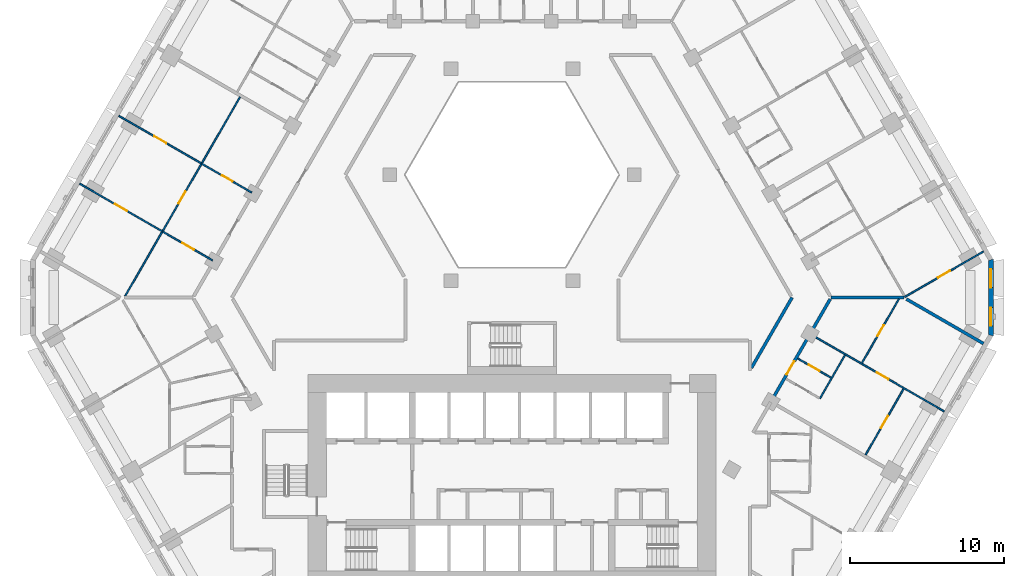
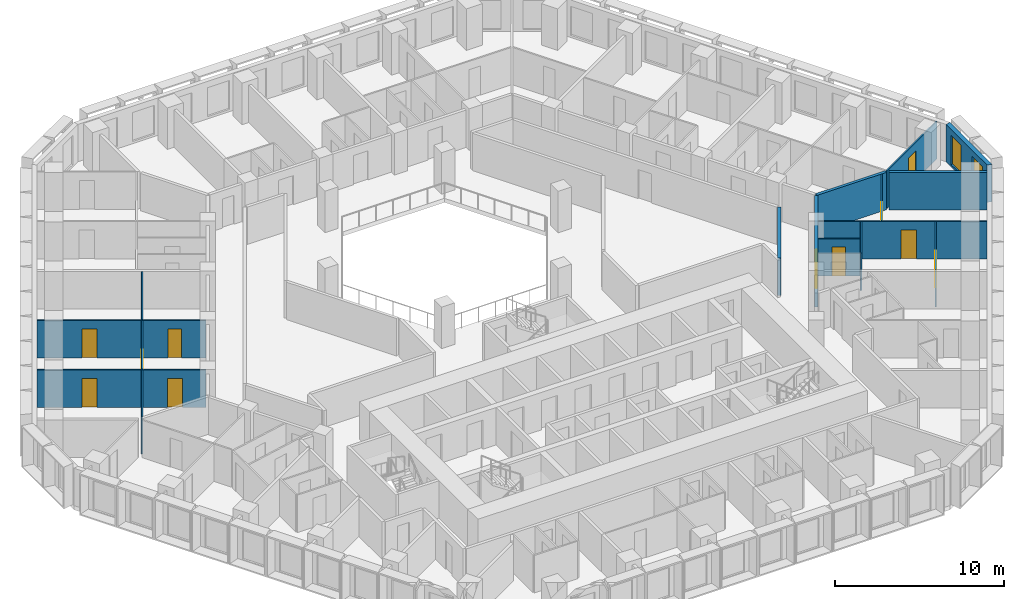
# One storey, part 8 of 21: 16 walls, 11 doors, 2 windows, 13 openings.
"""IFC4 building model written with IfcOpenShell, lengths in metres."""

from ifc_helpers import new_model, si_unit, direction, frame, frame_2d, origin, place, context, subcontext, project, spatial, polyline, rectangle, outline, extrude, material, layer, layer_set, type_object, element, fill, save


model = new_model("IFC4")

# Units and contexts
model_context = context("Model", 3, precision=1e-05, world=origin(), true_north=direction((0.0, 1.0)))
body_context = subcontext(model_context, "Body", "Model", "MODEL_VIEW")
ifc_project = project(units=[si_unit("LENGTHUNIT", "METRE"), si_unit("AREAUNIT", "SQUARE_METRE"), si_unit("VOLUMEUNIT", "CUBIC_METRE"), si_unit("PLANEANGLEUNIT", "RADIAN"), si_unit("MASSUNIT", "GRAM", prefix="KILO")], contexts=[model_context])

# Site, building, storey
site_placement = place(None, origin())
site = spatial("IfcSite", under=ifc_project, at=site_placement, CompositionType="ELEMENT")
building_placement = place(site_placement, origin())
building = spatial("IfcBuilding", under=site, at=building_placement, Name="Beryl Residences", CompositionType="ELEMENT")
storey_placement = place(building_placement, frame((0.0, 0.0, 35.39990234375)))
storey = spatial("IfcBuildingStorey", under=building, at=storey_placement, Name="L10", CompositionType="ELEMENT", Elevation=35.39990234375)

# Wall, openings, windows
ifc_material_1 = material(Name="Composite metal panel with mineral wool insulation")
ifc_layer_1 = layer(ifc_material_1, 0.300048828125)
ifc_layer_set_1 = layer_set([ifc_layer_1], Name="ES1 pale metal composite panel wall 300 mm")
wall_type_1 = type_object("IfcWallType", Name="ES1 pale metal composite panel wall 300 mm", PredefinedType="SOLIDWALL", material=ifc_layer_set_1)
wall_1_placement = place(storey_placement, frame((31.199951171875, -2.5, 0.0), z_axis=(0.0, 0.0, 1.0), x_axis=(0.0, 1.0, 0.0)))
wall_1 = element("IfcWall", 1, at=wall_1_placement, inside=storey, type_object=wall_type_1, Name="ES1 external wall L10 SE-NE", PredefinedType="SOLIDWALL", context=body_context, shape_type="SweptSolid", body=[
    extrude(outline(polyline([(0.0, -0.14990234375), (5.0, -0.14990234375), (4.919677734375, 0.14990234375), (0.080322265625, 0.14990234375), (0.0, -0.14990234375)])), origin(), (0.0, 0.0, 1.0), 2.7001953125),
])
opening_1_placement = place(wall_1_placement, frame((0.64990234375, 0.0, 0.14990234375)))
opening_1 = element("IfcOpeningElement", 2, at=opening_1_placement, cuts=wall_1, Name="Opening W2", PredefinedType="OPENING", context=body_context, shape_type="SweptSolid", body=[
    extrude(rectangle(XDim=1.199951171875, YDim=2.10009765625, at=frame_2d((0.60009765625, 1.050048828125))), frame((0.0, 0.159912109375, 0.0), z_axis=(0.0, -1.0, 0.0), x_axis=(1.0, 0.0, 0.0)), (0.0, 0.0, 1.0), 0.320068359375),
])
opening_2_placement = place(wall_1_placement, frame((3.14990234375, 0.0, 0.14990234375)))
opening_2 = element("IfcOpeningElement", 3, at=opening_2_placement, cuts=wall_1, Name="Opening W2", PredefinedType="OPENING", context=body_context, shape_type="SweptSolid", body=[
    extrude(rectangle(XDim=1.199951171875, YDim=2.10009765625, at=frame_2d((0.60009765625, 1.050048828125))), frame((0.0, 0.159912109375, 0.0), z_axis=(0.0, -1.0, 0.0), x_axis=(1.0, 0.0, 0.0)), (0.0, 0.0, 1.0), 0.320068359375),
])
ifc_material_2 = material(Name="Aluminium and clear glass", Category="aluminium")
window_type = type_object("IfcWindowType", Name="W2 chamfer window 1200 x 2100 mm", PartitioningType="SINGLE_PANEL", PredefinedType="WINDOW", material=ifc_material_2)
window_1_placement = place(opening_1_placement, origin())
window_1 = element("IfcWindow", 4, at=window_1_placement, inside=storey, type_object=window_type, Name="W2 window L10 SE-NE 1", OverallHeight=2.10009765625, OverallWidth=1.199951171875, PartitioningType="SINGLE_PANEL", PredefinedType="WINDOW", context=body_context, shape_type="SweptSolid", body=[
    extrude(rectangle(XDim=1.199951171875, YDim=2.10009765625, at=frame_2d((0.60009765625, 1.050048828125))), frame((0.0, 0.030029296875, 0.0), z_axis=(0.0, -1.0, 0.0), x_axis=(1.0, 0.0, 0.0)), (0.0, 0.0, 1.0), 0.06005859375),
])
fill(opening_1, window_1)
window_2_placement = place(opening_2_placement, origin())
window_2 = element("IfcWindow", 5, at=window_2_placement, inside=storey, type_object=window_type, Name="W2 window L10 SE-NE 2", OverallHeight=2.10009765625, OverallWidth=1.199951171875, PartitioningType="SINGLE_PANEL", PredefinedType="WINDOW", context=body_context, shape_type="SweptSolid", body=[
    extrude(rectangle(XDim=1.199951171875, YDim=2.10009765625, at=frame_2d((0.60009765625, 1.050048828125))), frame((0.0, 0.030029296875, 0.0), z_axis=(0.0, -1.0, 0.0), x_axis=(1.0, 0.0, 0.0)), (0.0, 0.0, 1.0), 0.06005859375),
])
fill(opening_2, window_2)

# Wall, opening, door
ifc_material_3 = material(Name="Gypsum board partition on steel studs", Category="steel")
ifc_layer_2 = layer(ifc_material_3, 0.10009765625)
ifc_layer_set_2 = layer_set([ifc_layer_2], Name="PT1 partition 100 mm gypsum board on steel studs")
wall_type_2 = type_object("IfcWallType", Name="PT1 partition 100 mm gypsum board on steel studs", PredefinedType="PARTITIONING", material=ifc_layer_set_2)
wall_2_placement = place(storey_placement, frame((-28.1640625, 7.4189453125, 0.0), z_axis=(0.0, 0.0, 1.0), x_axis=(0.86607068519, -0.499921562103, 0.0)))
wall_2 = element("IfcWall", 6, at=wall_2_placement, inside=storey, type_object=wall_type_2, Name="Wall PT1 L10 014", PredefinedType="PARTITIONING", context=body_context, shape_type="SweptSolid", body=[
    extrude(rectangle(XDim=6.22705078125, YDim=0.10009765625, at=frame_2d((3.113525390625, 0.0))), origin(), (0.0, 0.0, 1.0), 2.7001953125),
])
opening_3_placement = place(wall_2_placement, frame((2.6630859375, 0.0, 0.0)))
opening_3 = element("IfcOpeningElement", 7, at=opening_3_placement, cuts=wall_2, Name="Opening D0167", PredefinedType="OPENING", context=body_context, shape_type="SweptSolid", body=[
    extrude(rectangle(XDim=0.89990234375, YDim=2.10009765625, at=frame_2d((0.449951171875, 1.050048828125))), frame((0.0, 0.06005859375, 0.0), z_axis=(0.0, -1.0, 0.0), x_axis=(1.0, 0.0, 0.0)), (0.0, 0.0, 1.0), 0.1201171875),
])
ifc_material_4 = material(Name="Timber door leaf", Category="wood")
door_type_1 = type_object("IfcDoorType", Name="D2 room door 900 x 2100 mm", OperationType="SINGLE_SWING_LEFT", PredefinedType="DOOR", material=ifc_material_4)
door_1_placement = place(opening_3_placement, origin())
door_1 = element("IfcDoor", 8, at=door_1_placement, inside=storey, type_object=door_type_1, Name="Door D0167 L10 001", OperationType="SINGLE_SWING_LEFT", OverallHeight=2.10009765625, OverallWidth=0.89990234375, PredefinedType="DOOR", context=body_context, shape_type="SweptSolid", body=[
    extrude(rectangle(XDim=0.89990234375, YDim=2.10009765625, at=frame_2d((0.449951171875, 1.050048828125))), frame((0.0, 0.02490234375, 0.0), z_axis=(0.0, -1.0, 0.0), x_axis=(1.0, 0.0, 0.0)), (0.0, 0.0, 1.0), 0.050048828125),
])
fill(opening_3, door_1)

wall_3_placement = place(storey_placement, frame((-25.611083984375, 11.839111328125, 0.0), z_axis=(0.0, 0.0, 1.0), x_axis=(0.866031483044, -0.499989470266, 0.0)))
wall_3 = element("IfcWall", 9, at=wall_3_placement, inside=storey, type_object=wall_type_2, Name="Wall PT1 L10 015", PredefinedType="PARTITIONING", context=body_context, shape_type="SweptSolid", body=[
    extrude(rectangle(XDim=6.226318359375, YDim=0.10009765625, at=frame_2d((3.11328125, 0.0))), origin(), (0.0, 0.0, 1.0), 2.7001953125),
])
opening_4_placement = place(wall_3_placement, frame((2.6630859375, 0.0, 0.0)))
opening_4 = element("IfcOpeningElement", 10, at=opening_4_placement, cuts=wall_3, Name="Opening D0168", PredefinedType="OPENING", context=body_context, shape_type="SweptSolid", body=[
    extrude(rectangle(XDim=0.89990234375, YDim=2.10009765625, at=frame_2d((0.449951171875, 1.050048828125))), frame((0.0, 0.06005859375, 0.0), z_axis=(0.0, -1.0, 0.0), x_axis=(1.0, 0.0, 0.0)), (0.0, 0.0, 1.0), 0.1201171875),
])
door_2_placement = place(opening_4_placement, origin())
door_2 = element("IfcDoor", 11, at=door_2_placement, inside=storey, type_object=door_type_1, Name="Door D0168 L10 001", OperationType="SINGLE_SWING_RIGHT", OverallHeight=2.10009765625, OverallWidth=0.89990234375, PredefinedType="DOOR", context=body_context, shape_type="SweptSolid", body=[
    extrude(rectangle(XDim=0.89990234375, YDim=2.10009765625, at=frame_2d((0.449951171875, 1.050048828125))), frame((0.0, 0.02490234375, 0.0), z_axis=(0.0, -1.0, 0.0), x_axis=(1.0, 0.0, 0.0)), (0.0, 0.0, 1.0), 0.050048828125),
])
fill(opening_4, door_2)

wall_4_placement = place(storey_placement, frame((18.610107421875, -3.966064453125, 0.0), z_axis=(0.0, 0.0, 1.0), x_axis=(0.865958718457, -0.500115484592, 0.0)))
wall_4 = element("IfcWall", 12, at=wall_4_placement, inside=storey, type_object=wall_type_2, Name="Wall PT1 L10 019", PredefinedType="PARTITIONING", context=body_context, shape_type="SweptSolid", body=[
    extrude(rectangle(XDim=2.50927734375, YDim=0.10009765625, at=frame_2d((1.254638671875, 0.0))), origin(), (0.0, 0.0, 1.0), 2.7001953125),
])
opening_5_placement = place(wall_4_placement, frame((0.830078125, 0.0, 0.0)))
opening_5 = element("IfcOpeningElement", 13, at=opening_5_placement, cuts=wall_4, Name="Opening D0124", PredefinedType="OPENING", context=body_context, shape_type="SweptSolid", body=[
    extrude(rectangle(XDim=0.800048828125, YDim=2.10009765625, at=frame_2d((0.39990234375, 1.050048828125))), frame((0.0, 0.06005859375, 0.0), z_axis=(0.0, -1.0, 0.0), x_axis=(1.0, 0.0, 0.0)), (0.0, 0.0, 1.0), 0.1201171875),
])
ifc_material_5 = material(Name="Timber door leaf", Category="wood")
door_type_2 = type_object("IfcDoorType", Name="D3 bathroom door 800 x 2100 mm", OperationType="SINGLE_SWING_LEFT", PredefinedType="DOOR", material=ifc_material_5)
door_3_placement = place(opening_5_placement, origin())
door_3 = element("IfcDoor", 14, at=door_3_placement, inside=storey, type_object=door_type_2, Name="Door D0124 L10 001", OperationType="SINGLE_SWING_RIGHT", OverallHeight=2.10009765625, OverallWidth=0.800048828125, PredefinedType="DOOR", context=body_context, shape_type="SweptSolid", body=[
    extrude(rectangle(XDim=0.800048828125, YDim=2.10009765625, at=frame_2d((0.39990234375, 1.050048828125))), frame((0.0, 0.02490234375, 0.0), z_axis=(0.0, -1.0, 0.0), x_axis=(1.0, 0.0, 0.0)), (0.0, 0.0, 1.0), 0.050048828125),
])
fill(opening_5, door_3)

wall_5_placement = place(storey_placement, frame((19.5029296875, -2.4189453125, 0.0), z_axis=(0.0, 0.0, 1.0), x_axis=(0.866047370643, -0.499961950354, 0.0)))
wall_5 = element("IfcWall", 15, at=wall_5_placement, inside=storey, type_object=wall_type_2, Name="Wall PT1 L10 022", PredefinedType="PARTITIONING", context=body_context, shape_type="SweptSolid", body=[
    extrude(rectangle(XDim=10.000732421875, YDim=0.10009765625, at=frame_2d((5.00048828125, 0.0))), origin(), (0.0, 0.0, 1.0), 2.7001953125),
])
opening_6_placement = place(wall_5_placement, frame((4.912109375, 0.0, 0.0)))
opening_6 = element("IfcOpeningElement", 16, at=opening_6_placement, cuts=wall_5, Name="Opening D0126", PredefinedType="OPENING", context=body_context, shape_type="SweptSolid", body=[
    extrude(rectangle(XDim=0.89990234375, YDim=2.10009765625, at=frame_2d((0.449951171875, 1.050048828125))), frame((0.0, 0.06005859375, 0.0), z_axis=(0.0, -1.0, 0.0), x_axis=(1.0, 0.0, 0.0)), (0.0, 0.0, 1.0), 0.1201171875),
])
door_4_placement = place(opening_6_placement, origin())
door_4 = element("IfcDoor", 17, at=door_4_placement, inside=storey, type_object=door_type_1, Name="Door D0126 L10 001", OperationType="SINGLE_SWING_RIGHT", OverallHeight=2.10009765625, OverallWidth=0.89990234375, PredefinedType="DOOR", context=body_context, shape_type="SweptSolid", body=[
    extrude(rectangle(XDim=0.89990234375, YDim=2.10009765625, at=frame_2d((0.449951171875, 1.050048828125))), frame((0.0, 0.02490234375, 0.0), z_axis=(0.0, -1.0, 0.0), x_axis=(1.0, 0.0, 0.0)), (0.0, 0.0, 1.0), 0.050048828125),
])
fill(opening_6, door_4)

# Wall
wall_6_placement = place(storey_placement, frame((20.06201171875, -6.571044921875, 0.0), z_axis=(0.0, 0.0, 1.0), x_axis=(0.49983032932, 0.866123341039, 0.0)))
element("IfcWall", 18, at=wall_6_placement, inside=storey, type_object=wall_type_2, Name="Wall PT1 L10 035", PredefinedType="PARTITIONING", context=body_context, shape_type="SweptSolid", body=[
    extrude(rectangle(XDim=3.265380859375, YDim=0.10009765625, at=frame_2d((1.6328125, 0.0))), origin(), (0.0, 0.0, 1.0), 2.7001953125),
])

# Wall, opening, door
wall_7_placement = place(storey_placement, frame((22.797119140625, -4.262939453125, 0.0), z_axis=(0.0, 0.0, 1.0), x_axis=(0.499820637322, 0.866128934112, 0.0)))
wall_7 = element("IfcWall", 19, at=wall_7_placement, inside=storey, type_object=wall_type_2, Name="Wall PT1 L10 036", PredefinedType="PARTITIONING", context=body_context, shape_type="SweptSolid", body=[
    extrude(rectangle(XDim=4.807373046875, YDim=0.10009765625, at=frame_2d((2.40380859375, 0.0))), origin(), (0.0, 0.0, 1.0), 2.7001953125),
])
opening_7_placement = place(wall_7_placement, frame((2.037109375, 0.0, 0.0)))
opening_7 = element("IfcOpeningElement", 20, at=opening_7_placement, cuts=wall_7, Name="Opening D0127", PredefinedType="OPENING", context=body_context, shape_type="SweptSolid", body=[
    extrude(rectangle(XDim=0.800048828125, YDim=2.10009765625, at=frame_2d((0.39990234375, 1.050048828125))), frame((0.0, 0.06005859375, 0.0), z_axis=(0.0, -1.0, 0.0), x_axis=(1.0, 0.0, 0.0)), (0.0, 0.0, 1.0), 0.1201171875),
])
door_5_placement = place(opening_7_placement, origin())
door_5 = element("IfcDoor", 21, at=door_5_placement, inside=storey, type_object=door_type_2, Name="Door D0127 L10 001", OperationType="SINGLE_SWING_LEFT", OverallHeight=2.10009765625, OverallWidth=0.800048828125, PredefinedType="DOOR", context=body_context, shape_type="SweptSolid", body=[
    extrude(rectangle(XDim=0.800048828125, YDim=2.10009765625, at=frame_2d((0.39990234375, 1.050048828125))), frame((0.0, 0.02490234375, 0.0), z_axis=(0.0, -1.0, 0.0), x_axis=(1.0, 0.0, 0.0)), (0.0, 0.0, 1.0), 0.050048828125),
])
fill(opening_7, door_5)

wall_8_placement = place(storey_placement, frame((23.037109375, -10.238037109375, 0.0), z_axis=(0.0, 0.0, 1.0), x_axis=(0.49999264683, 0.866029649098, 0.0)))
wall_8 = element("IfcWall", 22, at=wall_8_placement, inside=storey, type_object=wall_type_2, Name="Wall PT1 L10 037", PredefinedType="PARTITIONING", context=body_context, shape_type="SweptSolid", body=[
    extrude(rectangle(XDim=4.95361328125, YDim=0.10009765625, at=frame_2d((2.476806640625, 0.0))), origin(), (0.0, 0.0, 1.0), 2.7001953125),
])
opening_8_placement = place(wall_8_placement, frame((2.001953125, 0.0, 0.0)))
opening_8 = element("IfcOpeningElement", 23, at=opening_8_placement, cuts=wall_8, Name="Opening D0125", PredefinedType="OPENING", context=body_context, shape_type="SweptSolid", body=[
    extrude(rectangle(XDim=0.89990234375, YDim=2.10009765625, at=frame_2d((0.449951171875, 1.050048828125))), frame((0.0, 0.06005859375, 0.0), z_axis=(0.0, -1.0, 0.0), x_axis=(1.0, 0.0, 0.0)), (0.0, 0.0, 1.0), 0.1201171875),
])
door_6_placement = place(opening_8_placement, origin())
door_6 = element("IfcDoor", 24, at=door_6_placement, inside=storey, type_object=door_type_1, Name="Door D0125 L10 001", OperationType="SINGLE_SWING_LEFT", OverallHeight=2.10009765625, OverallWidth=0.89990234375, PredefinedType="DOOR", context=body_context, shape_type="SweptSolid", body=[
    extrude(rectangle(XDim=0.89990234375, YDim=2.10009765625, at=frame_2d((0.449951171875, 1.050048828125))), frame((0.0, 0.02490234375, 0.0), z_axis=(0.0, -1.0, 0.0), x_axis=(1.0, 0.0, 0.0)), (0.0, 0.0, 1.0), 0.050048828125),
])
fill(opening_8, door_6)

wall_9_placement = place(storey_placement, frame((-25.199951171875, 0.09912109375, 0.0), z_axis=(0.0, 0.0, 1.0), x_axis=(0.49997477318, 0.866039968006, 0.0)))
wall_9 = element("IfcWall", 25, at=wall_9_placement, inside=storey, type_object=wall_type_2, Name="Wall PT1 L10 039", PredefinedType="PARTITIONING", context=body_context, shape_type="SweptSolid", body=[
    extrude(rectangle(XDim=14.964599609375, YDim=0.10009765625, at=frame_2d((7.482421875, 0.0))), origin(), (0.0, 0.0, 1.0), 2.7001953125),
])
opening_9_placement = place(wall_9_placement, frame((6.9599609375, 0.0, 0.0)))
opening_9 = element("IfcOpeningElement", 26, at=opening_9_placement, cuts=wall_9, Name="Opening D0164", PredefinedType="OPENING", context=body_context, shape_type="SweptSolid", body=[
    extrude(rectangle(XDim=0.89990234375, YDim=2.10009765625, at=frame_2d((0.449951171875, 1.050048828125))), frame((0.0, 0.06005859375, 0.0), z_axis=(0.0, -1.0, 0.0), x_axis=(1.0, 0.0, 0.0)), (0.0, 0.0, 1.0), 0.1201171875),
])
door_7_placement = place(opening_9_placement, origin())
door_7 = element("IfcDoor", 27, at=door_7_placement, inside=storey, type_object=door_type_1, Name="Door D0164 L10 001", OperationType="SINGLE_SWING_RIGHT", OverallHeight=2.10009765625, OverallWidth=0.89990234375, PredefinedType="DOOR", context=body_context, shape_type="SweptSolid", body=[
    extrude(rectangle(XDim=0.89990234375, YDim=2.10009765625, at=frame_2d((0.449951171875, 1.050048828125))), frame((0.0, 0.02490234375, 0.0), z_axis=(0.0, -1.0, 0.0), x_axis=(1.0, 0.0, 0.0)), (0.0, 0.0, 1.0), 0.050048828125),
])
fill(opening_9, door_7)

wall_10_placement = place(storey_placement, frame((25.587890625, 0.041015625, 0.0), z_axis=(0.0, 0.0, 1.0), x_axis=(0.866113484451, 0.499847408768, 0.0)))
wall_10 = element("IfcWall", 28, at=wall_10_placement, inside=storey, type_object=wall_type_2, Name="Wall PT1 L10 063", PredefinedType="PARTITIONING", context=body_context, shape_type="SweptSolid", body=[
    extrude(rectangle(XDim=5.919677734375, YDim=0.10009765625, at=frame_2d((2.9599609375, 0.0))), origin(), (0.0, 0.0, 1.0), 2.7001953125),
])
opening_10_placement = place(wall_10_placement, frame((2.510009765625, 0.0, 0.0)))
opening_10 = element("IfcOpeningElement", 29, at=opening_10_placement, cuts=wall_10, Name="Opening D0133", PredefinedType="OPENING", context=body_context, shape_type="SweptSolid", body=[
    extrude(rectangle(XDim=0.89990234375, YDim=2.10009765625, at=frame_2d((0.449951171875, 1.050048828125))), frame((0.0, 0.06005859375, 0.0), z_axis=(0.0, -1.0, 0.0), x_axis=(1.0, 0.0, 0.0)), (0.0, 0.0, 1.0), 0.1201171875),
])
door_8_placement = place(opening_10_placement, origin())
door_8 = element("IfcDoor", 30, at=door_8_placement, inside=storey, type_object=door_type_1, Name="Door D0133 L10 001", OperationType="SINGLE_SWING_LEFT", OverallHeight=2.10009765625, OverallWidth=0.89990234375, PredefinedType="DOOR", context=body_context, shape_type="SweptSolid", body=[
    extrude(rectangle(XDim=0.89990234375, YDim=2.10009765625, at=frame_2d((0.449951171875, 1.050048828125))), frame((0.0, 0.02490234375, 0.0), z_axis=(0.0, -1.0, 0.0), x_axis=(1.0, 0.0, 0.0)), (0.0, 0.0, 1.0), 0.050048828125),
])
fill(opening_10, door_8)

wall_11_placement = place(storey_placement, frame((-22.77099609375, 4.305908203125, 0.0), z_axis=(0.0, 0.0, 1.0), x_axis=(0.866008894869, -0.50002859319, 0.0)))
wall_11 = element("IfcWall", 31, at=wall_11_placement, inside=storey, type_object=wall_type_2, Name="Wall PT1 L10 073", PredefinedType="PARTITIONING", context=body_context, shape_type="SweptSolid", body=[
    extrude(rectangle(XDim=3.773681640625, YDim=0.10009765625, at=frame_2d((1.88671875, 0.0))), origin(), (0.0, 0.0, 1.0), 2.7001953125),
])
opening_11_placement = place(wall_11_placement, frame((1.486083984375, 0.0, 0.0)))
opening_11 = element("IfcOpeningElement", 32, at=opening_11_placement, cuts=wall_11, Name="Opening D0165", PredefinedType="OPENING", context=body_context, shape_type="SweptSolid", body=[
    extrude(rectangle(XDim=0.89990234375, YDim=2.10009765625, at=frame_2d((0.449951171875, 1.050048828125))), frame((0.0, 0.06005859375, 0.0), z_axis=(0.0, -1.0, 0.0), x_axis=(1.0, 0.0, 0.0)), (0.0, 0.0, 1.0), 0.1201171875),
])
door_9_placement = place(opening_11_placement, origin())
door_9 = element("IfcDoor", 33, at=door_9_placement, inside=storey, type_object=door_type_1, Name="Door D0165 L10 001", OperationType="SINGLE_SWING_LEFT", OverallHeight=2.10009765625, OverallWidth=0.89990234375, PredefinedType="DOOR", context=body_context, shape_type="SweptSolid", body=[
    extrude(rectangle(XDim=0.89990234375, YDim=2.10009765625, at=frame_2d((0.449951171875, 1.050048828125))), frame((0.0, 0.02490234375, 0.0), z_axis=(0.0, -1.0, 0.0), x_axis=(1.0, 0.0, 0.0)), (0.0, 0.0, 1.0), 0.050048828125),
])
fill(opening_11, door_9)

wall_12_placement = place(storey_placement, frame((-20.218994140625, 8.72607421875, 0.0), z_axis=(0.0, 0.0, 1.0), x_axis=(0.866008894869, -0.50002859319, 0.0)))
wall_12 = element("IfcWall", 34, at=wall_12_placement, inside=storey, type_object=wall_type_2, Name="Wall PT1 L10 074", PredefinedType="PARTITIONING", context=body_context, shape_type="SweptSolid", body=[
    extrude(rectangle(XDim=3.773681640625, YDim=0.10009765625, at=frame_2d((1.88671875, 0.0))), origin(), (0.0, 0.0, 1.0), 2.7001953125),
])
opening_12_placement = place(wall_12_placement, frame((1.537109375, 0.0, 0.0)))
opening_12 = element("IfcOpeningElement", 35, at=opening_12_placement, cuts=wall_12, Name="Opening D0166", PredefinedType="OPENING", context=body_context, shape_type="SweptSolid", body=[
    extrude(rectangle(XDim=0.800048828125, YDim=2.10009765625, at=frame_2d((0.39990234375, 1.050048828125))), frame((0.0, 0.06005859375, 0.0), z_axis=(0.0, -1.0, 0.0), x_axis=(1.0, 0.0, 0.0)), (0.0, 0.0, 1.0), 0.1201171875),
])
door_10_placement = place(opening_12_placement, origin())
door_10 = element("IfcDoor", 36, at=door_10_placement, inside=storey, type_object=door_type_2, Name="Door D0166 L10 001", OperationType="SINGLE_SWING_RIGHT", OverallHeight=2.10009765625, OverallWidth=0.800048828125, PredefinedType="DOOR", context=body_context, shape_type="SweptSolid", body=[
    extrude(rectangle(XDim=0.800048828125, YDim=2.10009765625, at=frame_2d((0.39990234375, 1.050048828125))), frame((0.0, 0.02490234375, 0.0), z_axis=(0.0, -1.0, 0.0), x_axis=(1.0, 0.0, 0.0)), (0.0, 0.0, 1.0), 0.050048828125),
])
fill(opening_12, door_10)

# Walls
ifc_material_6 = material(Name="Acoustic double stud gypsum board wall")
ifc_layer_3 = layer(ifc_material_6, 0.199951171875)
ifc_layer_set_3 = layer_set([ifc_layer_3], Name="PT3 party wall 200 mm acoustic double stud")
wall_type_3 = type_object("IfcWallType", Name="PT3 party wall 200 mm acoustic double stud", PredefinedType="PARTITIONING", material=ifc_layer_set_3)
wall_13_placement = place(storey_placement, frame((25.693115234375, -0.09912109375, 0.0), z_axis=(0.0, 0.0, 1.0), x_axis=(0.866032775405, -0.499987231761, 0.0)))
element("IfcWall", 37, at=wall_13_placement, inside=storey, type_object=wall_type_3, Name="Wall PT3 L10 010", PredefinedType="PARTITIONING", context=body_context, shape_type="SweptSolid", body=[
    extrude(rectangle(XDim=5.800048828125, YDim=0.199951171875, at=frame_2d((2.89990234375, 0.0))), origin(), (0.0, 0.0, 1.0), 2.7001953125),
])
wall_14_placement = place(storey_placement, frame((20.783935546875, 0.0009765625, 0.0), z_axis=(0.0, 0.0, 1.0), x_axis=(1.0, 0.0, 0.0)))
element("IfcWall", 38, at=wall_14_placement, inside=storey, type_object=wall_type_3, Name="Wall PT3 L10 014", PredefinedType="PARTITIONING", context=body_context, shape_type="SweptSolid", body=[
    extrude(rectangle(XDim=4.736083984375, YDim=0.199951171875, at=frame_2d((2.3681640625, 0.0))), origin(), (0.0, 0.0, 1.0), 2.7001953125),
])
ifc_material_7 = material(Name="Double stud gypsum board wall")
ifc_layer_4 = layer(ifc_material_7, 0.199951171875)
ifc_layer_set_4 = layer_set([ifc_layer_4], Name="PT4 corridor wall 200 mm double stud")
wall_type_4 = type_object("IfcWallType", Name="PT4 corridor wall 200 mm double stud", PredefinedType="PARTITIONING", material=ifc_layer_set_4)
wall_15_placement = place(storey_placement, frame((15.60009765625, -4.5791015625, 0.0), z_axis=(0.0, 0.0, 1.0), x_axis=(0.499927597274, 0.866067201483, 0.0)))
element("IfcWall", 39, at=wall_15_placement, inside=storey, type_object=wall_type_4, Name="Wall PT4 L10 019", PredefinedType="PARTITIONING", context=body_context, shape_type="SweptSolid", body=[
    extrude(rectangle(XDim=5.288330078125, YDim=0.199951171875, at=frame_2d((2.64404296875, 0.0))), origin(), (0.0, 0.0, 1.0), 2.7001953125),
])

# Wall, opening, door
wall_16_placement = place(storey_placement, frame((16.9140625, -6.702880859375, 0.0), z_axis=(0.0, 0.0, 1.0), x_axis=(0.50003007663, 0.866008038338, 0.0)))
wall_16 = element("IfcWall", 40, at=wall_16_placement, inside=storey, type_object=wall_type_4, Name="Wall PT4 L10 021", PredefinedType="PARTITIONING", context=body_context, shape_type="SweptSolid", body=[
    extrude(rectangle(XDim=7.62548828125, YDim=0.199951171875, at=frame_2d((3.812744140625, 0.0))), origin(), (0.0, 0.0, 1.0), 2.7001953125),
])
opening_13_placement = place(wall_16_placement, frame((1.951904296875, 0.0, 0.0)))
opening_13 = element("IfcOpeningElement", 41, at=opening_13_placement, cuts=wall_16, Name="Opening D0122", PredefinedType="OPENING", context=body_context, shape_type="SweptSolid", body=[
    extrude(rectangle(XDim=1.0, YDim=2.10009765625, at=frame_2d((0.5, 1.050048828125))), frame((0.0, 0.10986328125, 0.0), z_axis=(0.0, -1.0, 0.0), x_axis=(1.0, 0.0, 0.0)), (0.0, 0.0, 1.0), 0.219970703125),
])
ifc_material_8 = material(Name="Timber door leaf", Category="wood")
door_type_3 = type_object("IfcDoorType", Name="D1 flat entrance door 1000 x 2100 mm", OperationType="SINGLE_SWING_LEFT", PredefinedType="DOOR", material=ifc_material_8)
door_11_placement = place(opening_13_placement, origin())
door_11 = element("IfcDoor", 42, at=door_11_placement, inside=storey, type_object=door_type_3, Name="Door D0122 L10 001", OperationType="SINGLE_SWING_RIGHT", OverallHeight=2.10009765625, OverallWidth=1.0, PredefinedType="DOOR", context=body_context, shape_type="SweptSolid", body=[
    extrude(rectangle(XDim=1.0, YDim=2.10009765625, at=frame_2d((0.5, 1.050048828125))), frame((0.0, 0.02490234375, 0.0), z_axis=(0.0, -1.0, 0.0), x_axis=(1.0, 0.0, 0.0)), (0.0, 0.0, 1.0), 0.050048828125),
])
fill(opening_13, door_11)

save(model, "model.ifc")
